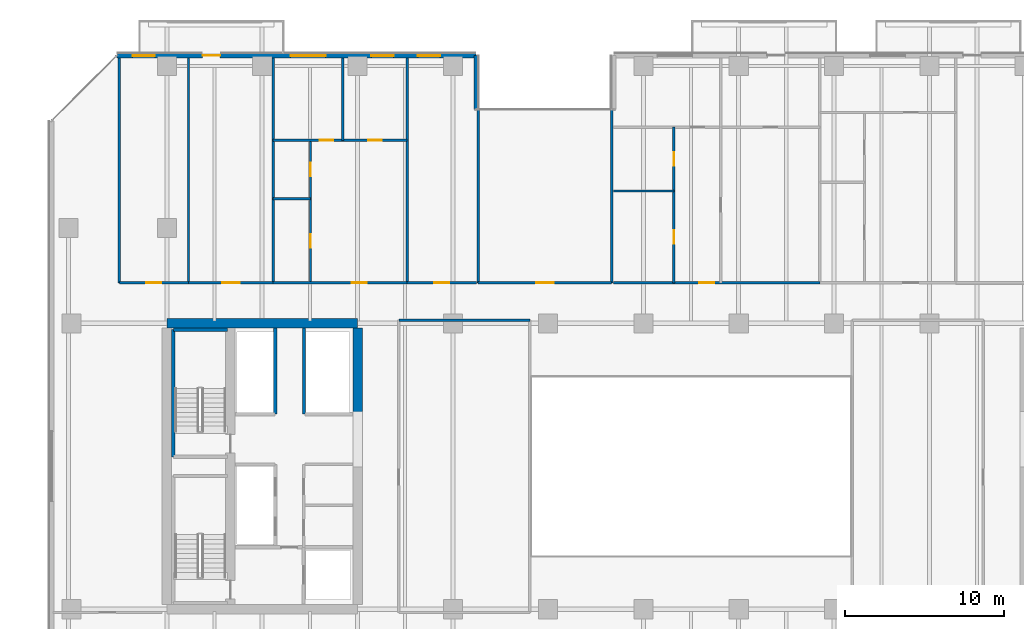
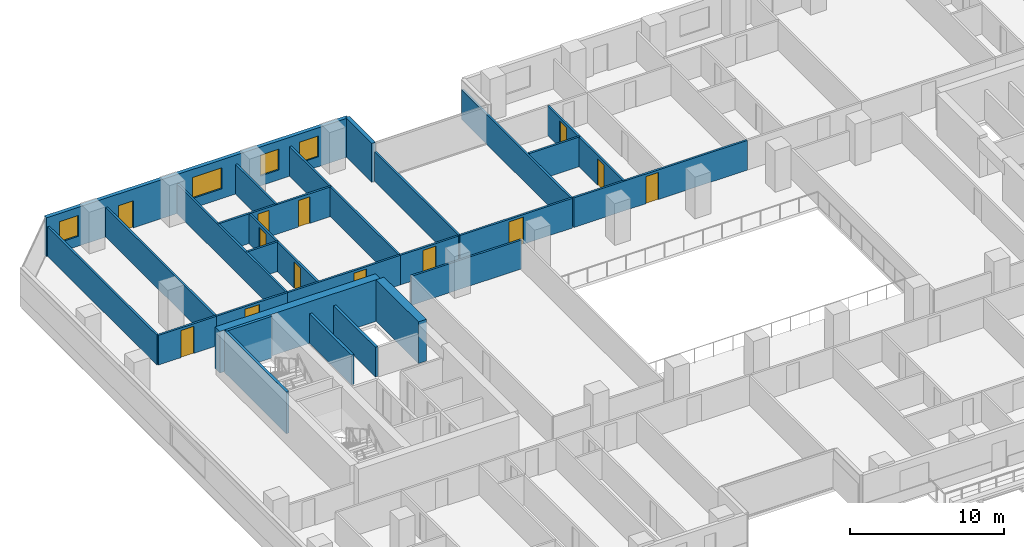
# One storey, part 20 of 33: 27 walls, 13 doors, 4 windows, 17 openings.
"""IFC4 building model written with IfcOpenShell, lengths in metres."""

from ifc_helpers import new_model, si_unit, direction, frame, frame_2d, origin, place, context, subcontext, project, spatial, rectangle, extrude, material, layer, layer_set, type_object, element, fill, save


model = new_model("IFC4")

# Units and contexts
model_context = context("Model", 3, precision=1e-05, world=origin(), true_north=direction((0.0, 1.0)))
body_context = subcontext(model_context, "Body", "Model", "MODEL_VIEW")
ifc_project = project(units=[si_unit("LENGTHUNIT", "METRE"), si_unit("AREAUNIT", "SQUARE_METRE"), si_unit("VOLUMEUNIT", "CUBIC_METRE"), si_unit("PLANEANGLEUNIT", "RADIAN"), si_unit("MASSUNIT", "GRAM", prefix="KILO")], contexts=[model_context])

# Site, building, storey
site_placement = place(None, origin())
site = spatial("IfcSite", under=ifc_project, at=site_placement, CompositionType="ELEMENT")
building_placement = place(site_placement, origin())
building = spatial("IfcBuilding", under=site, at=building_placement, Name="Tanjung Sevakor Pilgrim Tower", CompositionType="ELEMENT")
storey_placement = place(building_placement, frame((0.0, 0.0, 38.93994140625)))
storey = spatial("IfcBuildingStorey", under=building, at=storey_placement, Name="L10", CompositionType="ELEMENT", Elevation=38.93994140625)

# Walls
ifc_material_1 = material(Name="Concrete C60/75", Category="concrete")
ifc_layer_1 = layer(ifc_material_1, 0.60009765625)
ifc_layer_set_1 = layer_set([ifc_layer_1], Name="WALL-CW-600")
wall_type_1 = type_object("IfcWallType", Name="WALL-CW-600", PredefinedType="SHEAR", material=ifc_layer_set_1)
wall_1_placement = place(storey_placement, frame((36.0, 42.60009765625, 0.0), z_axis=(0.0, 0.0, 1.0), x_axis=(-1.0, 0.0, 0.0)))
element("IfcWall", 1, at=wall_1_placement, inside=storey, type_object=wall_type_1, Name="L10 W Core North Shear Wall", PredefinedType="SHEAR", context=body_context, shape_type="SweptSolid", body=[
    extrude(rectangle(XDim=12.0, YDim=0.60009765625, at=frame_2d((6.0, 0.0))), origin(), (0.0, 0.0, 1.0), 3.300048828125),
])
wall_2_placement = place(storey_placement, frame((36.0, 36.800048828125, 0.0), z_axis=(0.0, 0.0, 1.0), x_axis=(0.0, 1.0, 0.0)))
element("IfcWall", 2, at=wall_2_placement, inside=storey, type_object=wall_type_1, Name="L10 W Core Inner Shear Wall North", PredefinedType="SHEAR", context=body_context, shape_type="SweptSolid", body=[
    extrude(rectangle(XDim=5.5, YDim=0.60009765625, at=frame_2d((2.75, 0.0))), origin(), (0.0, 0.0, 1.0), 3.300048828125),
])
ifc_material_2 = material(Name="Concrete C40/50", Category="concrete")
ifc_layer_2 = layer(ifc_material_2, 0.14990234375)
ifc_layer_set_2 = layer_set([ifc_layer_2], Name="WT-COMP-150")
wall_type_2 = type_object("IfcWallType", Name="WT-COMP-150", PredefinedType="SOLIDWALL", material=ifc_layer_set_2)
wall_3_placement = place(storey_placement, frame((38.60009765625, 42.800048828125, 0.0), z_axis=(0.0, 0.0, 1.0), x_axis=(1.0, 0.0, 0.0)))
element("IfcWall", 3, at=wall_3_placement, inside=storey, type_object=wall_type_2, Name="L10 Partition IW-L10-024", PredefinedType="SOLIDWALL", context=body_context, shape_type="SweptSolid", body=[
    extrude(rectangle(XDim=8.25, YDim=0.14990234375, at=frame_2d((4.125, 0.0))), origin(), (0.0, 0.0, 1.0), 2.295166015625),
])

# Wall, opening, door
wall_4_placement = place(storey_placement, frame((43.60009765625, 45.14990234375, 0.0), z_axis=(0.0, 0.0, 1.0), x_axis=(1.0, 0.0, 0.0)))
wall_4 = element("IfcWall", 4, at=wall_4_placement, inside=storey, type_object=wall_type_2, Name="L10 Partition IW-L10-041", PredefinedType="SOLIDWALL", context=body_context, shape_type="SweptSolid", body=[
    extrude(rectangle(XDim=8.39990234375, YDim=0.14990234375, at=frame_2d((4.199951171875, 0.0))), origin(), (0.0, 0.0, 1.0), 2.35009765625),
])
opening_1_placement = place(wall_4_placement, frame((3.64990234375, 0.0, 0.0)))
opening_1 = element("IfcOpeningElement", 5, at=opening_1_placement, cuts=wall_4, Name="Opening ID-RM2", PredefinedType="OPENING", context=body_context, shape_type="SweptSolid", body=[
    extrude(rectangle(XDim=1.10009765625, YDim=2.14990234375, at=frame_2d((0.550048828125, 1.074951171875))), frame((0.0, 0.0849609375, 0.0), z_axis=(0.0, -1.0, 0.0), x_axis=(1.0, 0.0, 0.0)), (0.0, 0.0, 1.0), 0.169921875),
])
ifc_material_3 = material(Name="Hardwood Timber", Category="wood")
door_type_1 = type_object("IfcDoorType", Name="DT-INT-1100", OperationType="NOTDEFINED", PredefinedType="DOOR", material=ifc_material_3)
door_1_placement = place(opening_1_placement, origin())
door_1 = element("IfcDoor", 6, at=door_1_placement, inside=storey, type_object=door_type_1, Name="L10 North Cleft Reading Room Door", OperationType="SINGLE_SWING_LEFT", OverallHeight=2.14990234375, OverallWidth=1.10009765625, PredefinedType="DOOR", context=body_context, shape_type="SweptSolid", body=[
    extrude(rectangle(XDim=1.10009765625, YDim=2.14990234375, at=frame_2d((0.550048828125, 1.074951171875))), frame((0.0, 0.02490234375, 0.0), z_axis=(0.0, -1.0, 0.0), x_axis=(1.0, 0.0, 0.0)), (0.0, 0.0, 1.0), 0.050048828125),
])
fill(opening_1, door_1)

# Walls
for number, where, z_axis, x_axis, name in (
    (7, (43.60009765625, 45.14990234375, 0.0), (0.0, 0.0, 1.0), (0.0, 1.0, 0.0), "L10 Partition IW-L10-042"),
    (8, (52.0, 45.14990234375, 0.0), (0.0, 0.0, 1.0), (0.0, 1.0, 0.0), "L10 Partition IW-L10-043"),
    (9, (21.0, 45.14990234375, 0.0), (0.0, 0.0, 1.0), (0.0, 1.0, 0.0), "L10 Partition IW-L10-079"),
    (10, (25.35888671875, 45.14990234375, 0.0), (0.0, 0.0, 1.0), (0.0, 1.0, 0.0), "L10 Partition IW-L10-080"),
):
    element("IfcWall", number, at=place(storey_placement, frame(where, z_axis=z_axis, x_axis=x_axis)), inside=storey, type_object=wall_type_2, Name=name, PredefinedType="SOLIDWALL", context=body_context, shape_type="SweptSolid", body=[
        extrude(rectangle(XDim=14.170166015625, YDim=0.14990234375, at=frame_2d((7.0849609375, 0.0))), origin(), (0.0, 0.0, 1.0), 2.35009765625),
    ])

# Wall, opening, door
wall_5_placement = place(storey_placement, frame((21.0, 45.14990234375, 0.0), z_axis=(0.0, 0.0, 1.0), x_axis=(1.0, 0.0, 0.0)))
wall_5 = element("IfcWall", 11, at=wall_5_placement, inside=storey, type_object=wall_type_2, Name="L10 Partition IW-L10-081", PredefinedType="SOLIDWALL", context=body_context, shape_type="SweptSolid", body=[
    extrude(rectangle(XDim=4.35888671875, YDim=0.14990234375, at=frame_2d((2.179443359375, 0.0))), origin(), (0.0, 0.0, 1.0), 2.35009765625),
])
opening_2_placement = place(wall_5_placement, frame((1.704345703125, 0.0, 0.0)))
opening_2 = element("IfcOpeningElement", 12, at=opening_2_placement, cuts=wall_5, Name="Opening ID-FD2", PredefinedType="OPENING", context=body_context, shape_type="SweptSolid", body=[
    extrude(rectangle(XDim=0.949951171875, YDim=2.14990234375, at=frame_2d((0.47509765625, 1.074951171875))), frame((0.0, 0.0849609375, 0.0), z_axis=(0.0, -1.0, 0.0), x_axis=(1.0, 0.0, 0.0)), (0.0, 0.0, 1.0), 0.169921875),
])
ifc_material_4 = material(Name="Fire-Rated Timber", Category="wood")
door_type_2 = type_object("IfcDoorType", Name="DT-FIRE-950", OperationType="NOTDEFINED", PredefinedType="DOOR", material=ifc_material_4)
door_2_placement = place(opening_2_placement, origin())
door_2 = element("IfcDoor", 13, at=door_2_placement, inside=storey, type_object=door_type_2, Name="Study Room Entrance", OperationType="SINGLE_SWING_LEFT", OverallHeight=2.14990234375, OverallWidth=0.949951171875, PredefinedType="DOOR", context=body_context, shape_type="SweptSolid", body=[
    extrude(rectangle(XDim=0.949951171875, YDim=2.14990234375, at=frame_2d((0.47509765625, 1.074951171875))), frame((0.0, 0.02490234375, 0.0), z_axis=(0.0, -1.0, 0.0), x_axis=(1.0, 0.0, 0.0)), (0.0, 0.0, 1.0), 0.050048828125),
])
fill(opening_2, door_2)

# Wall
wall_6_placement = place(storey_placement, frame((30.686279296875, 45.14990234375, 0.0), z_axis=(0.0, 0.0, 1.0), x_axis=(0.0, 1.0, 0.0)))
element("IfcWall", 14, at=wall_6_placement, inside=storey, type_object=wall_type_2, Name="L10 Partition IW-L10-082", PredefinedType="SOLIDWALL", context=body_context, shape_type="SweptSolid", body=[
    extrude(rectangle(XDim=14.170166015625, YDim=0.14990234375, at=frame_2d((7.0849609375, 0.0))), origin(), (0.0, 0.0, 1.0), 2.35009765625),
])

# Wall, opening, door
wall_7_placement = place(storey_placement, frame((25.35888671875, 45.14990234375, 0.0), z_axis=(0.0, 0.0, 1.0), x_axis=(1.0, 0.0, 0.0)))
wall_7 = element("IfcWall", 15, at=wall_7_placement, inside=storey, type_object=wall_type_2, Name="L10 Partition IW-L10-083", PredefinedType="SOLIDWALL", context=body_context, shape_type="SweptSolid", body=[
    extrude(rectangle(XDim=5.327392578125, YDim=0.14990234375, at=frame_2d((2.66357421875, 0.0))), origin(), (0.0, 0.0, 1.0), 2.35009765625),
])
opening_3_placement = place(wall_7_placement, frame((2.11376953125, 0.0, 0.0)))
opening_3 = element("IfcOpeningElement", 16, at=opening_3_placement, cuts=wall_7, Name="Opening ID-FD0", PredefinedType="OPENING", context=body_context, shape_type="SweptSolid", body=[
    extrude(rectangle(XDim=1.10009765625, YDim=2.14990234375, at=frame_2d((0.550048828125, 1.074951171875))), frame((0.0, 0.0849609375, 0.0), z_axis=(0.0, -1.0, 0.0), x_axis=(1.0, 0.0, 0.0)), (0.0, 0.0, 1.0), 0.169921875),
])
ifc_material_5 = material(Name="Fire-Rated Steel S355J2", Category="steel")
door_type_3 = type_object("IfcDoorType", Name="DT-FIRE-1100", OperationType="NOTDEFINED", PredefinedType="DOOR", material=ifc_material_5)
door_3_placement = place(opening_3_placement, origin())
door_3 = element("IfcDoor", 17, at=door_3_placement, inside=storey, type_object=door_type_3, Name="Seminar Room Door", OperationType="SINGLE_SWING_RIGHT", OverallHeight=2.14990234375, OverallWidth=1.10009765625, PredefinedType="DOOR", context=body_context, shape_type="SweptSolid", body=[
    extrude(rectangle(XDim=1.10009765625, YDim=2.14990234375, at=frame_2d((0.550048828125, 1.074951171875))), frame((0.0, 0.02490234375, 0.0), z_axis=(0.0, -1.0, 0.0), x_axis=(1.0, 0.0, 0.0)), (0.0, 0.0, 1.0), 0.050048828125),
])
fill(opening_3, door_3)

# Wall
wall_8_placement = place(storey_placement, frame((39.12109375, 45.14990234375, 0.0), z_axis=(0.0, 0.0, 1.0), x_axis=(0.0, 1.0, 0.0)))
element("IfcWall", 18, at=wall_8_placement, inside=storey, type_object=wall_type_2, Name="L10 Partition IW-L10-084", PredefinedType="SOLIDWALL", context=body_context, shape_type="SweptSolid", body=[
    extrude(rectangle(XDim=14.170166015625, YDim=0.14990234375, at=frame_2d((7.0849609375, 0.0))), origin(), (0.0, 0.0, 1.0), 2.35009765625),
])

# Wall, opening, door
wall_9_placement = place(storey_placement, frame((30.686279296875, 45.14990234375, 0.0), z_axis=(0.0, 0.0, 1.0), x_axis=(1.0, 0.0, 0.0)))
wall_9 = element("IfcWall", 19, at=wall_9_placement, inside=storey, type_object=wall_type_2, Name="L10 Partition IW-L10-089", PredefinedType="SOLIDWALL", context=body_context, shape_type="SweptSolid", body=[
    extrude(rectangle(XDim=8.434814453125, YDim=0.14990234375, at=frame_2d((4.21728515625, 0.0))), origin(), (0.0, 0.0, 1.0), 2.35009765625),
])
opening_4_placement = place(wall_9_placement, frame((4.95751953125, 0.0, 0.0)))
opening_4 = element("IfcOpeningElement", 20, at=opening_4_placement, cuts=wall_9, Name="Opening ID-FD2", PredefinedType="OPENING", context=body_context, shape_type="SweptSolid", body=[
    extrude(rectangle(XDim=0.949951171875, YDim=2.14990234375, at=frame_2d((0.47509765625, 1.074951171875))), frame((0.0, 0.0849609375, 0.0), z_axis=(0.0, -1.0, 0.0), x_axis=(1.0, 0.0, 0.0)), (0.0, 0.0, 1.0), 0.169921875),
])
door_4_placement = place(opening_4_placement, origin())
door_4 = element("IfcDoor", 21, at=door_4_placement, inside=storey, type_object=door_type_2, Name="Suite Entrance", OperationType="SINGLE_SWING_LEFT", OverallHeight=2.14990234375, OverallWidth=0.949951171875, PredefinedType="DOOR", context=body_context, shape_type="SweptSolid", body=[
    extrude(rectangle(XDim=0.949951171875, YDim=2.14990234375, at=frame_2d((0.47509765625, 1.074951171875))), frame((0.0, 0.02490234375, 0.0), z_axis=(0.0, -1.0, 0.0), x_axis=(1.0, 0.0, 0.0)), (0.0, 0.0, 1.0), 0.050048828125),
])
fill(opening_4, door_4)

wall_10_placement = place(storey_placement, frame((39.12109375, 45.14990234375, 0.0), z_axis=(0.0, 0.0, 1.0), x_axis=(1.0, 0.0, 0.0)))
wall_10 = element("IfcWall", 22, at=wall_10_placement, inside=storey, type_object=wall_type_2, Name="L10 Partition IW-L10-090", PredefinedType="SOLIDWALL", context=body_context, shape_type="SweptSolid", body=[
    extrude(rectangle(XDim=4.35888671875, YDim=0.14990234375, at=frame_2d((2.179443359375, 0.0))), origin(), (0.0, 0.0, 1.0), 2.35009765625),
])
opening_5_placement = place(wall_10_placement, frame((1.704345703125, 0.0, 0.0)))
opening_5 = element("IfcOpeningElement", 23, at=opening_5_placement, cuts=wall_10, Name="Opening ID-FD2", PredefinedType="OPENING", context=body_context, shape_type="SweptSolid", body=[
    extrude(rectangle(XDim=0.949951171875, YDim=2.14990234375, at=frame_2d((0.47509765625, 1.074951171875))), frame((0.0, 0.0849609375, 0.0), z_axis=(0.0, -1.0, 0.0), x_axis=(1.0, 0.0, 0.0)), (0.0, 0.0, 1.0), 0.169921875),
])
door_5_placement = place(opening_5_placement, origin())
door_5 = element("IfcDoor", 24, at=door_5_placement, inside=storey, type_object=door_type_2, Name="Study Room Entrance", OperationType="SINGLE_SWING_RIGHT", OverallHeight=2.14990234375, OverallWidth=0.949951171875, PredefinedType="DOOR", context=body_context, shape_type="SweptSolid", body=[
    extrude(rectangle(XDim=0.949951171875, YDim=2.14990234375, at=frame_2d((0.47509765625, 1.074951171875))), frame((0.0, 0.02490234375, 0.0), z_axis=(0.0, -1.0, 0.0), x_axis=(1.0, 0.0, 0.0)), (0.0, 0.0, 1.0), 0.050048828125),
])
fill(opening_5, door_5)

wall_11_placement = place(storey_placement, frame((52.1201171875, 45.14990234375, 0.0), z_axis=(0.0, 0.0, 1.0), x_axis=(1.0, 0.0, 0.0)))
wall_11 = element("IfcWall", 25, at=wall_11_placement, inside=storey, type_object=wall_type_2, Name="L10 Partition IW-L10-098", PredefinedType="SOLIDWALL", context=body_context, shape_type="SweptSolid", body=[
    extrude(rectangle(XDim=12.98876953125, YDim=0.14990234375, at=frame_2d((6.494384765625, 0.0))), origin(), (0.0, 0.0, 1.0), 2.35009765625),
])
opening_6_placement = place(wall_11_placement, frame((5.38720703125, 0.0, 0.0)))
opening_6 = element("IfcOpeningElement", 26, at=opening_6_placement, cuts=wall_11, Name="Opening ID-FD2", PredefinedType="OPENING", context=body_context, shape_type="SweptSolid", body=[
    extrude(rectangle(XDim=0.949951171875, YDim=2.14990234375, at=frame_2d((0.47509765625, 1.074951171875))), frame((0.0, 0.0849609375, 0.0), z_axis=(0.0, -1.0, 0.0), x_axis=(1.0, 0.0, 0.0)), (0.0, 0.0, 1.0), 0.169921875),
])
door_6_placement = place(opening_6_placement, origin())
door_6 = element("IfcDoor", 27, at=door_6_placement, inside=storey, type_object=door_type_2, Name="Suite Entrance", OperationType="SINGLE_SWING_RIGHT", OverallHeight=2.14990234375, OverallWidth=0.949951171875, PredefinedType="DOOR", context=body_context, shape_type="SweptSolid", body=[
    extrude(rectangle(XDim=0.949951171875, YDim=2.14990234375, at=frame_2d((0.47509765625, 1.074951171875))), frame((0.0, 0.02490234375, 0.0), z_axis=(0.0, -1.0, 0.0), x_axis=(1.0, 0.0, 0.0)), (0.0, 0.0, 1.0), 0.050048828125),
])
fill(opening_6, door_6)

# Wall
ifc_material_6 = material(Name="Precast concrete C45/55", Category="concrete")
ifc_layer_3 = layer(ifc_material_6, 0.280029296875)
ifc_layer_set_3 = layer_set([ifc_layer_3], Name="WT-EW-STN2")
wall_type_3 = type_object("IfcWallType", Name="WT-EW-STN2", PredefinedType="SOLIDWALL", material=ifc_layer_set_3)
wall_12_placement = place(storey_placement, frame((43.4599609375, 56.06005859375, 0.0), z_axis=(0.0, 0.0, 1.0), x_axis=(0.0, 1.0, 0.0)))
element("IfcWall", 28, at=wall_12_placement, inside=storey, type_object=wall_type_3, Name="L10 MAIN Exterior Wall 12", PredefinedType="SOLIDWALL", context=body_context, shape_type="SweptSolid", body=[
    extrude(rectangle(XDim=3.39990234375, YDim=0.280029296875, at=frame_2d((1.699951171875, 0.0))), origin(), (0.0, 0.0, 1.0), 3.080078125),
])

# Wall, openings, door, windows
wall_13_placement = place(storey_placement, frame((43.4599609375, 59.4599609375, 0.0), z_axis=(0.0, 0.0, 1.0), x_axis=(-1.0, 0.0, 0.0)))
wall_13 = element("IfcWall", 29, at=wall_13_placement, inside=storey, type_object=wall_type_3, Name="L10 MAIN Exterior Wall 13", PredefinedType="SOLIDWALL", context=body_context, shape_type="SweptSolid", body=[
    extrude(rectangle(XDim=22.60205078125, YDim=0.280029296875, at=frame_2d((11.301025390625, 0.0))), origin(), (0.0, 0.0, 1.0), 3.080078125),
])
opening_7_placement = place(wall_13_placement, frame((16.110107421875, 0.0, 0.0)))
opening_7 = element("IfcOpeningElement", 30, at=opening_7_placement, cuts=wall_13, Name="Opening ED-BAL-1100", PredefinedType="OPENING", context=body_context, shape_type="SweptSolid", body=[
    extrude(rectangle(XDim=1.10009765625, YDim=2.14990234375, at=frame_2d((0.550048828125, 1.074951171875))), frame((0.0, 0.14990234375, 0.0), z_axis=(0.0, -1.0, 0.0), x_axis=(1.0, 0.0, 0.0)), (0.0, 0.0, 1.0), 0.300048828125),
])
opening_8_placement = place(wall_13_placement, frame((20.220703125, 0.0, 0.780029296875)))
opening_8 = element("IfcOpeningElement", 31, at=opening_8_placement, cuts=wall_13, Name="Opening WN-END", PredefinedType="OPENING", context=body_context, shape_type="SweptSolid", body=[
    extrude(rectangle(XDim=1.39990234375, YDim=1.64990234375, at=frame_2d((0.699951171875, 0.824951171875))), frame((0.0, 0.14990234375, 0.0), z_axis=(0.0, -1.0, 0.0), x_axis=(1.0, 0.0, 0.0)), (0.0, 0.0, 1.0), 0.300048828125),
])
opening_9_placement = place(wall_13_placement, frame((9.470703125, 0.0, 0.780029296875)))
opening_9 = element("IfcOpeningElement", 32, at=opening_9_placement, cuts=wall_13, Name="Opening WN-Z1-1660", PredefinedType="OPENING", context=body_context, shape_type="SweptSolid", body=[
    extrude(rectangle(XDim=2.199951171875, YDim=1.659912109375, at=frame_2d((1.10009765625, 0.830078125))), frame((0.0, 0.14990234375, 0.0), z_axis=(0.0, -1.0, 0.0), x_axis=(1.0, 0.0, 0.0)), (0.0, 0.0, 1.0), 0.300048828125),
])
opening_10_placement = place(wall_13_placement, frame((5.193115234375, 0.0, 0.780029296875)))
opening_10 = element("IfcOpeningElement", 33, at=opening_10_placement, cuts=wall_13, Name="Opening WN-END", PredefinedType="OPENING", context=body_context, shape_type="SweptSolid", body=[
    extrude(rectangle(XDim=1.39990234375, YDim=1.64990234375, at=frame_2d((0.699951171875, 0.824951171875))), frame((0.0, 0.14990234375, 0.0), z_axis=(0.0, -1.0, 0.0), x_axis=(1.0, 0.0, 0.0)), (0.0, 0.0, 1.0), 0.300048828125),
])
opening_11_placement = place(wall_13_placement, frame((2.259521484375, 0.0, 0.780029296875)))
opening_11 = element("IfcOpeningElement", 34, at=opening_11_placement, cuts=wall_13, Name="Opening WN-END", PredefinedType="OPENING", context=body_context, shape_type="SweptSolid", body=[
    extrude(rectangle(XDim=1.39990234375, YDim=1.64990234375, at=frame_2d((0.699951171875, 0.824951171875))), frame((0.0, 0.14990234375, 0.0), z_axis=(0.0, -1.0, 0.0), x_axis=(1.0, 0.0, 0.0)), (0.0, 0.0, 1.0), 0.300048828125),
])
ifc_material_7 = material(Name="Anodised Aluminium and Laminated Glass", Category="aluminium")
door_type_4 = type_object("IfcDoorType", Name="DTYP-ED-BAL-1100", OperationType="NOTDEFINED", PredefinedType="DOOR", material=ifc_material_7)
door_7_placement = place(opening_7_placement, frame((1.10009765625, 0.0, 0.0), z_axis=(0.0, 0.0, 1.0), x_axis=(-1.0, 0.0, 0.0)))
door_7 = element("IfcDoor", 35, at=door_7_placement, inside=storey, type_object=door_type_4, Name="L10 Balcony Door MAIN-N1", OperationType="SINGLE_SWING_RIGHT", OverallHeight=2.14990234375, OverallWidth=1.10009765625, PredefinedType="DOOR", context=body_context, shape_type="SweptSolid", body=[
    extrude(rectangle(XDim=1.10009765625, YDim=2.14990234375, at=frame_2d((0.550048828125, 1.074951171875))), frame((0.0, 0.02490234375, 0.0), z_axis=(0.0, -1.0, 0.0), x_axis=(1.0, 0.0, 0.0)), (0.0, 0.0, 1.0), 0.050048828125),
])
fill(opening_7, door_7)
ifc_material_8 = material(Name="Thermally Broken Aluminium and Low-E Glass", Category="aluminium")
window_type_1 = type_object("IfcWindowType", Name="WTYP-WN-END", PartitioningType="SINGLE_PANEL", PredefinedType="WINDOW", material=ifc_material_8)
window_1_placement = place(opening_8_placement, origin())
window_1 = element("IfcWindow", 36, at=window_1_placement, inside=storey, type_object=window_type_1, Name="L10 Facade Window 01", OverallHeight=1.64990234375, OverallWidth=1.39990234375, PartitioningType="SINGLE_PANEL", PredefinedType="WINDOW", context=body_context, shape_type="SweptSolid", body=[
    extrude(rectangle(XDim=1.39990234375, YDim=1.64990234375, at=frame_2d((0.699951171875, 0.824951171875))), frame((0.0, 0.030029296875, 0.0), z_axis=(0.0, -1.0, 0.0), x_axis=(1.0, 0.0, 0.0)), (0.0, 0.0, 1.0), 0.06005859375),
])
fill(opening_8, window_1)
window_2_placement = place(opening_10_placement, origin())
window_2 = element("IfcWindow", 37, at=window_2_placement, inside=storey, type_object=window_type_1, Name="L10 Facade Window 03", OverallHeight=1.64990234375, OverallWidth=1.39990234375, PartitioningType="SINGLE_PANEL", PredefinedType="WINDOW", context=body_context, shape_type="SweptSolid", body=[
    extrude(rectangle(XDim=1.39990234375, YDim=1.64990234375, at=frame_2d((0.699951171875, 0.824951171875))), frame((0.0, 0.030029296875, 0.0), z_axis=(0.0, -1.0, 0.0), x_axis=(1.0, 0.0, 0.0)), (0.0, 0.0, 1.0), 0.06005859375),
])
fill(opening_10, window_2)
window_3_placement = place(opening_11_placement, origin())
window_3 = element("IfcWindow", 38, at=window_3_placement, inside=storey, type_object=window_type_1, Name="L10 Facade Window 04", OverallHeight=1.64990234375, OverallWidth=1.39990234375, PartitioningType="SINGLE_PANEL", PredefinedType="WINDOW", context=body_context, shape_type="SweptSolid", body=[
    extrude(rectangle(XDim=1.39990234375, YDim=1.64990234375, at=frame_2d((0.699951171875, 0.824951171875))), frame((0.0, 0.030029296875, 0.0), z_axis=(0.0, -1.0, 0.0), x_axis=(1.0, 0.0, 0.0)), (0.0, 0.0, 1.0), 0.06005859375),
])
fill(opening_11, window_3)
ifc_material_9 = material(Name="Thermally Broken Aluminium and Low-E Glass", Category="aluminium")
window_type_2 = type_object("IfcWindowType", Name="WTYP-WN-Z1-1660", PartitioningType="DOUBLE_PANEL_VERTICAL", PredefinedType="WINDOW", material=ifc_material_9)
window_4_placement = place(opening_9_placement, origin())
window_4 = element("IfcWindow", 39, at=window_4_placement, inside=storey, type_object=window_type_2, Name="L10 Facade Window 02", OverallHeight=1.659912109375, OverallWidth=2.199951171875, PartitioningType="SINGLE_PANEL", PredefinedType="WINDOW", context=body_context, shape_type="SweptSolid", body=[
    extrude(rectangle(XDim=2.199951171875, YDim=1.659912109375, at=frame_2d((1.10009765625, 0.830078125))), frame((0.0, 0.030029296875, 0.0), z_axis=(0.0, -1.0, 0.0), x_axis=(1.0, 0.0, 0.0)), (0.0, 0.0, 1.0), 0.06005859375),
])
fill(opening_9, window_4)

# Walls
ifc_material_10 = material(Name="Concrete C40/50", Category="concrete")
ifc_layer_4 = layer(ifc_material_10, 0.199951171875)
ifc_layer_set_4 = layer_set([ifc_layer_4], Name="WT-FIRE-200")
wall_type_4 = type_object("IfcWallType", Name="WT-FIRE-200", PredefinedType="SOLIDWALL", material=ifc_layer_set_4)
wall_14_placement = place(storey_placement, frame((27.800048828125, 42.199951171875, 0.0), z_axis=(0.0, 0.0, 1.0), x_axis=(-1.0, 0.0, 0.0)))
element("IfcWall", 40, at=wall_14_placement, inside=storey, type_object=wall_type_4, Name="L10 TS-W2 Shaft Wall 2", PredefinedType="SOLIDWALL", context=body_context, shape_type="SweptSolid", body=[
    extrude(rectangle(XDim=3.400146484375, YDim=0.199951171875, at=frame_2d((1.7001953125, 0.0))), origin(), (0.0, 0.0, 1.0), 3.300048828125),
])
wall_15_placement = place(storey_placement, frame((24.39990234375, 42.199951171875, 0.0), z_axis=(0.0, 0.0, 1.0), x_axis=(0.0, -1.0, 0.0)))
element("IfcWall", 41, at=wall_15_placement, inside=storey, type_object=wall_type_4, Name="L10 TS-W2 Shaft Wall 3", PredefinedType="SOLIDWALL", context=body_context, shape_type="SweptSolid", body=[
    extrude(rectangle(XDim=8.0, YDim=0.199951171875, at=frame_2d((4.0, 0.0))), origin(), (0.0, 0.0, 1.0), 3.300048828125),
])
ifc_material_11 = material(Name="Concrete C40/50", Category="concrete")
ifc_layer_5 = layer(ifc_material_11, 0.199951171875)
ifc_layer_set_5 = layer_set([ifc_layer_5], Name="WT-FPRT-200")
wall_type_5 = type_object("IfcWallType", Name="WT-FPRT-200", PredefinedType="SOLIDWALL", material=ifc_layer_set_5)
for number, where, z_axis, x_axis, name in (
    (42, (30.820068359375, 36.8798828125, 0.0), (0.0, 0.0, 1.0), (0.0, 1.0, 0.0), "L10 Partition IW-L10-009"),
    (43, (32.6201171875, 36.8798828125, 0.0), (0.0, 0.0, 1.0), (0.0, 1.0, 0.0), "L10 Partition IW-L10-011"),
):
    element("IfcWall", number, at=place(storey_placement, frame(where, z_axis=z_axis, x_axis=x_axis)), inside=storey, type_object=wall_type_5, Name=name, PredefinedType="SOLIDWALL", context=body_context, shape_type="SweptSolid", body=[
        extrude(rectangle(XDim=5.420166015625, YDim=0.199951171875, at=frame_2d((2.7099609375, 0.0))), origin(), (0.0, 0.0, 1.0), 2.35009765625),
    ])
ifc_material_12 = material(Name="Gypsum Board Partition", Category="gypsum board")
ifc_layer_6 = layer(ifc_material_12, 0.14990234375)
ifc_layer_set_6 = layer_set([ifc_layer_6], Name="WT-PART-150")
wall_type_6 = type_object("IfcWallType", Name="WT-PART-150", PredefinedType="PARTITIONING", material=ifc_layer_set_6)
wall_16_placement = place(storey_placement, frame((30.686279296875, 50.4423828125, 0.0), z_axis=(0.0, 0.0, 1.0), x_axis=(1.0, 0.0, 0.0)))
element("IfcWall", 44, at=wall_16_placement, inside=storey, type_object=wall_type_6, Name="L10 Partition IW-L10-085", PredefinedType="PARTITIONING", context=body_context, shape_type="SweptSolid", body=[
    extrude(rectangle(XDim=2.349853515625, YDim=0.14990234375, at=frame_2d((1.1748046875, 0.0))), origin(), (0.0, 0.0, 1.0), 2.35009765625),
])

# Wall, openings, doors
wall_17_placement = place(storey_placement, frame((33.0361328125, 45.14990234375, 0.0), z_axis=(0.0, 0.0, 1.0), x_axis=(0.0, 1.0, 0.0)))
wall_17 = element("IfcWall", 45, at=wall_17_placement, inside=storey, type_object=wall_type_6, Name="L10 Partition IW-L10-086", PredefinedType="PARTITIONING", context=body_context, shape_type="SweptSolid", body=[
    extrude(rectangle(XDim=8.97021484375, YDim=0.14990234375, at=frame_2d((4.485107421875, 0.0))), origin(), (0.0, 0.0, 1.0), 2.35009765625),
])
opening_12_placement = place(wall_17_placement, frame((2.22119140625, 0.0, 0.0)))
opening_12 = element("IfcOpeningElement", 46, at=opening_12_placement, cuts=wall_17, Name="Opening ID-WC1", PredefinedType="OPENING", context=body_context, shape_type="SweptSolid", body=[
    extrude(rectangle(XDim=0.85009765625, YDim=2.10009765625, at=frame_2d((0.425048828125, 1.050048828125))), frame((0.0, 0.0849609375, 0.0), z_axis=(0.0, -1.0, 0.0), x_axis=(1.0, 0.0, 0.0)), (0.0, 0.0, 1.0), 0.169921875),
])
opening_13_placement = place(wall_17_placement, frame((6.706298828125, 0.0, 0.0)))
opening_13 = element("IfcOpeningElement", 47, at=opening_13_placement, cuts=wall_17, Name="Opening ID-WC1", PredefinedType="OPENING", context=body_context, shape_type="SweptSolid", body=[
    extrude(rectangle(XDim=0.85009765625, YDim=2.10009765625, at=frame_2d((0.425048828125, 1.050048828125))), frame((0.0, 0.0849609375, 0.0), z_axis=(0.0, -1.0, 0.0), x_axis=(1.0, 0.0, 0.0)), (0.0, 0.0, 1.0), 0.169921875),
])
ifc_material_13 = material(Name="Moisture-Resistant Timber", Category="wood")
door_type_5 = type_object("IfcDoorType", Name="DT-INT-850", OperationType="NOTDEFINED", PredefinedType="DOOR", material=ifc_material_13)
door_8_placement = place(opening_12_placement, origin())
door_8 = element("IfcDoor", 48, at=door_8_placement, inside=storey, type_object=door_type_5, Name="Suite Kitchenette Door", OperationType="SINGLE_SWING_LEFT", OverallHeight=2.10009765625, OverallWidth=0.85009765625, PredefinedType="DOOR", context=body_context, shape_type="SweptSolid", body=[
    extrude(rectangle(XDim=0.85009765625, YDim=2.10009765625, at=frame_2d((0.425048828125, 1.050048828125))), frame((0.0, 0.02490234375, 0.0), z_axis=(0.0, -1.0, 0.0), x_axis=(1.0, 0.0, 0.0)), (0.0, 0.0, 1.0), 0.050048828125),
])
fill(opening_12, door_8)
door_9_placement = place(opening_13_placement, origin())
door_9 = element("IfcDoor", 49, at=door_9_placement, inside=storey, type_object=door_type_5, Name="Suite Bathroom Door", OperationType="SINGLE_SWING_RIGHT", OverallHeight=2.10009765625, OverallWidth=0.85009765625, PredefinedType="DOOR", context=body_context, shape_type="SweptSolid", body=[
    extrude(rectangle(XDim=0.85009765625, YDim=2.10009765625, at=frame_2d((0.425048828125, 1.050048828125))), frame((0.0, 0.02490234375, 0.0), z_axis=(0.0, -1.0, 0.0), x_axis=(1.0, 0.0, 0.0)), (0.0, 0.0, 1.0), 0.050048828125),
])
fill(opening_13, door_9)

# Wall
wall_18_placement = place(storey_placement, frame((35.072509765625, 54.1201171875, 0.0), z_axis=(0.0, 0.0, 1.0), x_axis=(0.0, 1.0, 0.0)))
element("IfcWall", 50, at=wall_18_placement, inside=storey, type_object=wall_type_6, Name="L10 Partition IW-L10-087", PredefinedType="PARTITIONING", context=body_context, shape_type="SweptSolid", body=[
    extrude(rectangle(XDim=5.199951171875, YDim=0.14990234375, at=frame_2d((2.60009765625, 0.0))), origin(), (0.0, 0.0, 1.0), 2.35009765625),
])

# Wall, openings, doors
wall_19_placement = place(storey_placement, frame((30.686279296875, 54.1201171875, 0.0), z_axis=(0.0, 0.0, 1.0), x_axis=(1.0, 0.0, 0.0)))
wall_19 = element("IfcWall", 51, at=wall_19_placement, inside=storey, type_object=wall_type_6, Name="L10 Partition IW-L10-088", PredefinedType="PARTITIONING", context=body_context, shape_type="SweptSolid", body=[
    extrude(rectangle(XDim=8.434814453125, YDim=0.14990234375, at=frame_2d((4.21728515625, 0.0))), origin(), (0.0, 0.0, 1.0), 2.35009765625),
])
opening_14_placement = place(wall_19_placement, frame((2.943115234375, 0.0, 0.0)))
opening_14 = element("IfcOpeningElement", 52, at=opening_14_placement, cuts=wall_19, Name="Opening ID-WC1", PredefinedType="OPENING", context=body_context, shape_type="SweptSolid", body=[
    extrude(rectangle(XDim=0.85009765625, YDim=2.10009765625, at=frame_2d((0.425048828125, 1.050048828125))), frame((0.0, 0.0849609375, 0.0), z_axis=(0.0, -1.0, 0.0), x_axis=(1.0, 0.0, 0.0)), (0.0, 0.0, 1.0), 0.169921875),
])
opening_15_placement = place(wall_19_placement, frame((5.985595703125, 0.0, 0.0)))
opening_15 = element("IfcOpeningElement", 53, at=opening_15_placement, cuts=wall_19, Name="Opening ID-WC1", PredefinedType="OPENING", context=body_context, shape_type="SweptSolid", body=[
    extrude(rectangle(XDim=0.85009765625, YDim=2.10009765625, at=frame_2d((0.425048828125, 1.050048828125))), frame((0.0, 0.0849609375, 0.0), z_axis=(0.0, -1.0, 0.0), x_axis=(1.0, 0.0, 0.0)), (0.0, 0.0, 1.0), 0.169921875),
])
door_10_placement = place(opening_14_placement, origin())
door_10 = element("IfcDoor", 54, at=door_10_placement, inside=storey, type_object=door_type_5, Name="Suite Bedroom 1 Door", OperationType="SINGLE_SWING_LEFT", OverallHeight=2.10009765625, OverallWidth=0.85009765625, PredefinedType="DOOR", context=body_context, shape_type="SweptSolid", body=[
    extrude(rectangle(XDim=0.85009765625, YDim=2.10009765625, at=frame_2d((0.425048828125, 1.050048828125))), frame((0.0, 0.02490234375, 0.0), z_axis=(0.0, -1.0, 0.0), x_axis=(1.0, 0.0, 0.0)), (0.0, 0.0, 1.0), 0.050048828125),
])
fill(opening_14, door_10)
door_11_placement = place(opening_15_placement, origin())
door_11 = element("IfcDoor", 55, at=door_11_placement, inside=storey, type_object=door_type_5, Name="Suite Bedroom 2 Door", OperationType="SINGLE_SWING_RIGHT", OverallHeight=2.10009765625, OverallWidth=0.85009765625, PredefinedType="DOOR", context=body_context, shape_type="SweptSolid", body=[
    extrude(rectangle(XDim=0.85009765625, YDim=2.10009765625, at=frame_2d((0.425048828125, 1.050048828125))), frame((0.0, 0.02490234375, 0.0), z_axis=(0.0, -1.0, 0.0), x_axis=(1.0, 0.0, 0.0)), (0.0, 0.0, 1.0), 0.050048828125),
])
fill(opening_15, door_11)

# Wall
wall_20_placement = place(storey_placement, frame((52.1201171875, 50.933349609375, 0.0), z_axis=(0.0, 0.0, 1.0), x_axis=(1.0, 0.0, 0.0)))
element("IfcWall", 56, at=wall_20_placement, inside=storey, type_object=wall_type_6, Name="L10 Partition IW-L10-094", PredefinedType="PARTITIONING", context=body_context, shape_type="SweptSolid", body=[
    extrude(rectangle(XDim=3.7998046875, YDim=0.14990234375, at=frame_2d((1.89990234375, 0.0))), origin(), (0.0, 0.0, 1.0), 2.35009765625),
])

# Wall, openings, doors
wall_21_placement = place(storey_placement, frame((55.919921875, 45.14990234375, 0.0), z_axis=(0.0, 0.0, 1.0), x_axis=(0.0, 1.0, 0.0)))
wall_21 = element("IfcWall", 57, at=wall_21_placement, inside=storey, type_object=wall_type_6, Name="L10 Partition IW-L10-095", PredefinedType="PARTITIONING", context=body_context, shape_type="SweptSolid", body=[
    extrude(rectangle(XDim=9.802490234375, YDim=0.14990234375, at=frame_2d((4.9013671875, 0.0))), origin(), (0.0, 0.0, 1.0), 2.35009765625),
])
opening_16_placement = place(wall_21_placement, frame((2.466796875, 0.0, 0.0)))
opening_16 = element("IfcOpeningElement", 58, at=opening_16_placement, cuts=wall_21, Name="Opening ID-WC1", PredefinedType="OPENING", context=body_context, shape_type="SweptSolid", body=[
    extrude(rectangle(XDim=0.85009765625, YDim=2.10009765625, at=frame_2d((0.425048828125, 1.050048828125))), frame((0.0, 0.0849609375, 0.0), z_axis=(0.0, -1.0, 0.0), x_axis=(1.0, 0.0, 0.0)), (0.0, 0.0, 1.0), 0.169921875),
])
opening_17_placement = place(wall_21_placement, frame((7.367919921875, 0.0, 0.0)))
opening_17 = element("IfcOpeningElement", 59, at=opening_17_placement, cuts=wall_21, Name="Opening ID-WC1", PredefinedType="OPENING", context=body_context, shape_type="SweptSolid", body=[
    extrude(rectangle(XDim=0.85009765625, YDim=2.10009765625, at=frame_2d((0.425048828125, 1.050048828125))), frame((0.0, 0.0849609375, 0.0), z_axis=(0.0, -1.0, 0.0), x_axis=(1.0, 0.0, 0.0)), (0.0, 0.0, 1.0), 0.169921875),
])
door_12_placement = place(opening_16_placement, origin())
door_12 = element("IfcDoor", 60, at=door_12_placement, inside=storey, type_object=door_type_5, Name="Suite Kitchenette Door", OperationType="SINGLE_SWING_RIGHT", OverallHeight=2.10009765625, OverallWidth=0.85009765625, PredefinedType="DOOR", context=body_context, shape_type="SweptSolid", body=[
    extrude(rectangle(XDim=0.85009765625, YDim=2.10009765625, at=frame_2d((0.425048828125, 1.050048828125))), frame((0.0, 0.02490234375, 0.0), z_axis=(0.0, -1.0, 0.0), x_axis=(1.0, 0.0, 0.0)), (0.0, 0.0, 1.0), 0.050048828125),
])
fill(opening_16, door_12)
door_13_placement = place(opening_17_placement, origin())
door_13 = element("IfcDoor", 61, at=door_13_placement, inside=storey, type_object=door_type_5, Name="Suite Bathroom Door", OperationType="SINGLE_SWING_LEFT", OverallHeight=2.10009765625, OverallWidth=0.85009765625, PredefinedType="DOOR", context=body_context, shape_type="SweptSolid", body=[
    extrude(rectangle(XDim=0.85009765625, YDim=2.10009765625, at=frame_2d((0.425048828125, 1.050048828125))), frame((0.0, 0.02490234375, 0.0), z_axis=(0.0, -1.0, 0.0), x_axis=(1.0, 0.0, 0.0)), (0.0, 0.0, 1.0), 0.050048828125),
])
fill(opening_17, door_13)

save(model, "model.ifc")
